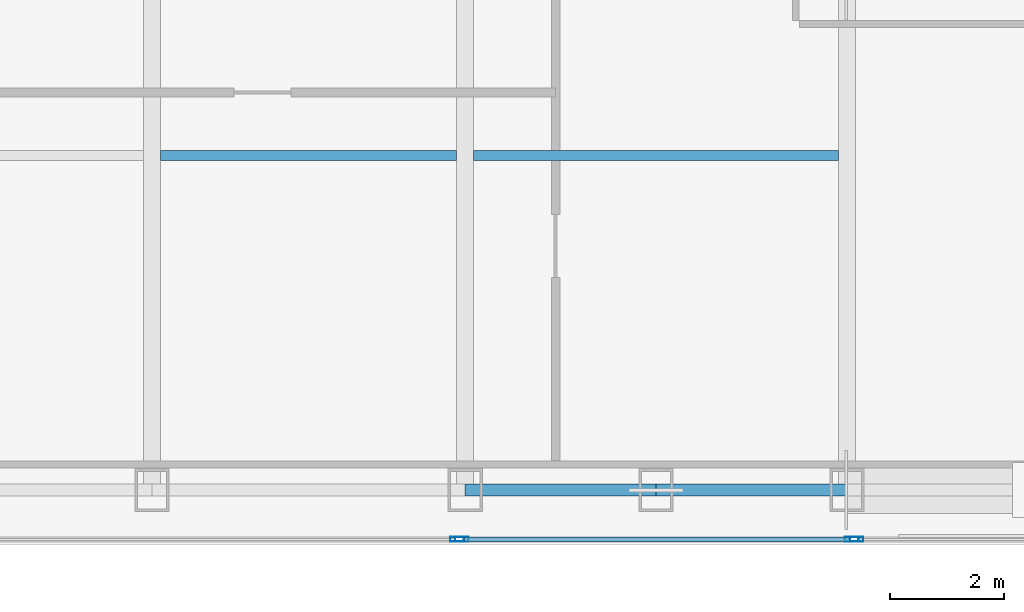
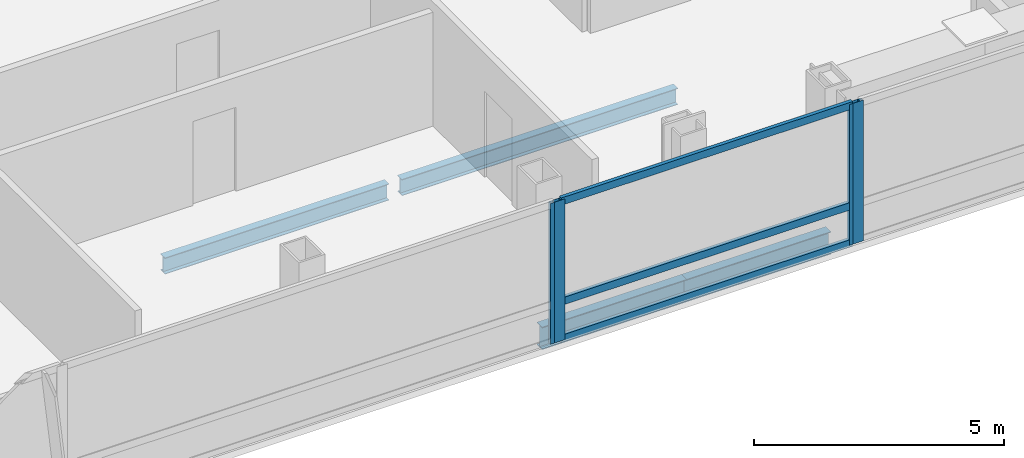
# One storey, part 11 of 26: 7 members, 4 beams, 3 elements without a shape of their own.
"""IFC4 building model written with IfcOpenShell, lengths in metres."""

from ifc_helpers import new_model, si_unit, direction, frame, origin, origin_2d, place, context, subcontext, project, spatial, hollow_rectangle, i_section, extrude, material, material_profile, profile_set, type_object, element, aggregate, save


model = new_model("IFC4")

# Units and contexts
model_context = context("Model", 3, precision=1e-05, world=origin(), true_north=direction((0.0, 1.0)))
body_context = subcontext(model_context, "Body", "Model", "MODEL_VIEW")
ifc_project = project(units=[si_unit("LENGTHUNIT", "METRE"), si_unit("AREAUNIT", "SQUARE_METRE"), si_unit("VOLUMEUNIT", "CUBIC_METRE"), si_unit("PLANEANGLEUNIT", "RADIAN"), si_unit("MASSUNIT", "GRAM", prefix="KILO")], contexts=[model_context])

# Site, building, storey
site_placement = place(None, origin())
site = spatial("IfcSite", under=ifc_project, at=site_placement, CompositionType="ELEMENT")
building_placement = place(site_placement, origin())
building = spatial("IfcBuilding", under=site, at=building_placement, Name="Khoronbel Lancet Exchange", CompositionType="ELEMENT")
storey_placement = place(building_placement, frame((0.0, 0.0, 287.800048828125)))
storey = spatial("IfcBuildingStorey", under=building, at=storey_placement, Name="L74", CompositionType="ELEMENT", Elevation=287.800048828125)

# Beams
ifc_material_1 = material(Name="Steel S355", Category="steel")
ifc_material_profile_1 = material_profile(ifc_material_1, i_section(OverallWidth=0.179931640625, OverallDepth=0.39990234375, WebThickness=0.008544921875, FlangeThickness=0.013427734375, at=origin_2d()), Name="IPE 400")
ifc_profile_set_1 = profile_set([ifc_material_profile_1], Name="Steel S355")
beam_type_1 = type_object("IfcBeamType", Name="BM-BJ5", PredefinedType="JOIST", material=ifc_profile_set_1)
beam_1_placement = place(storey_placement, frame((42.675048828125, 16.0, -0.360107421875), z_axis=(1.0, 0.0, 0.0), x_axis=(0.0, 1.0, 0.0)))
element("IfcBeam", 1, at=beam_1_placement, inside=storey, type_object=beam_type_1, Name="Level L74 secondary composite joist J04", PredefinedType="JOIST", context=body_context, shape_type="SweptSolid", body=[
    extrude(i_section(OverallWidth=0.179931640625, OverallDepth=0.39990234375, WebThickness=0.008544921875, FlangeThickness=0.013427734375, at=origin_2d()), origin(), (0.0, 0.0, 1.0), 5.175048828125),
])
beam_2_placement = place(storey_placement, frame((48.14990234375, 16.0, -0.360107421875), z_axis=(1.0, 0.0, 0.0), x_axis=(0.0, 1.0, 0.0)))
element("IfcBeam", 2, at=beam_2_placement, inside=storey, type_object=beam_type_1, Name="Level L74 secondary composite joist J05", PredefinedType="JOIST", context=body_context, shape_type="SweptSolid", body=[
    extrude(i_section(OverallWidth=0.179931640625, OverallDepth=0.39990234375, WebThickness=0.008544921875, FlangeThickness=0.013427734375, at=origin_2d()), origin(), (0.0, 0.0, 1.0), 6.375),
])
ifc_material_profile_2 = material_profile(ifc_material_1, i_section(OverallWidth=0.2099609375, OverallDepth=0.550048828125, WebThickness=0.010986328125, FlangeThickness=0.01708984375, at=origin_2d()), Name="IPE 550")
ifc_profile_set_2 = profile_set([ifc_material_profile_2], Name="Steel S355")
beam_type_2 = type_object("IfcBeamType", Name="BM-BSP3", PredefinedType="SPANDREL", material=ifc_profile_set_2)
beam_3_placement = place(storey_placement, frame((48.0, 10.14990234375, -0.43505859375), z_axis=(1.0, 0.0, 0.0), x_axis=(0.0, 1.0, 0.0)))
element("IfcBeam", 3, at=beam_3_placement, inside=storey, type_object=beam_type_2, Name="Level L74 perimeter spandrel beam SP07", PredefinedType="SPANDREL", context=body_context, shape_type="SweptSolid", body=[
    extrude(i_section(OverallWidth=0.2099609375, OverallDepth=0.550048828125, WebThickness=0.010986328125, FlangeThickness=0.01708984375, at=origin_2d()), origin(), (0.0, 0.0, 1.0), 3.33740234375),
])
beam_4_placement = place(storey_placement, frame((51.33740234375, 10.14990234375, -0.43505859375), z_axis=(1.0, 0.0, 0.0), x_axis=(0.0, 1.0, 0.0)))
element("IfcBeam", 4, at=beam_4_placement, inside=storey, type_object=beam_type_2, Name="Level L74 perimeter spandrel beam SP08", PredefinedType="SPANDREL", context=body_context, shape_type="SweptSolid", body=[
    extrude(i_section(OverallWidth=0.2099609375, OverallDepth=0.550048828125, WebThickness=0.010986328125, FlangeThickness=0.01708984375, at=origin_2d()), origin(), (0.0, 0.0, 1.0), 3.337646484375),
])

# Curtain wall, member
ifc_material_2 = material(Name="Low-E Solar Control Insulating Glass", Category="glass")
curtain_wall_type = type_object("IfcCurtainWallType", Name="CW-3", PredefinedType="NOTDEFINED", material=ifc_material_2)
curtain_wall_1_placement = place(storey_placement, origin())
curtain_wall_1 = element("IfcCurtainWall", 5, at=curtain_wall_1_placement, inside=storey, type_object=curtain_wall_type, Name="Unitised curtain wall CW-L74-SCV", PredefinedType="NOTDEFINED")
ifc_material_3 = material(Name="Bronze-Anodised Aluminium 6063-T6", Category="aluminium")
ifc_material_profile_3 = material_profile(ifc_material_3, hollow_rectangle(XDim=0.0849609375, YDim=0.239990234375, WallThickness=0.006103515625, at=origin_2d()), Name="ALU MULLION 85x240")
ifc_profile_set_3 = profile_set([ifc_material_profile_3], Name="Bronze-Anodised Aluminium 6063-T6")
member_type_1 = type_object("IfcMemberType", Name="MEM-CWM1", PredefinedType="MULLION", material=ifc_profile_set_3)
member_1_placement = place(storey_placement, frame((47.857421875, 9.2900390625, 0.0), z_axis=(0.0, 0.0, 1.0), x_axis=(0.0, 1.0, 0.0)))
member_1 = element("IfcMember", 6, at=member_1_placement, type_object=member_type_1, Name="CW3 mullion 3", PredefinedType="MULLION", context=body_context, shape_type="SweptSolid", body=[
    extrude(hollow_rectangle(XDim=0.0849609375, YDim=0.239990234375, WallThickness=0.006103515625, at=origin_2d()), origin(), (0.0, 0.0, 1.0), 3.43994140625),
])
aggregate(curtain_wall_1, [member_1])

# Curtain wall, members
curtain_wall_2_placement = place(storey_placement, origin())
curtain_wall_2 = element("IfcCurtainWall", 7, at=curtain_wall_2_placement, inside=storey, type_object=curtain_wall_type, Name="Unitised curtain wall CW-L74-SEB", PredefinedType="NOTDEFINED")
member_2_placement = place(storey_placement, frame((47.9423828125, 9.2900390625, 0.0), z_axis=(0.0, 0.0, 1.0), x_axis=(0.0, 1.0, 0.0)))
member_2 = element("IfcMember", 8, at=member_2_placement, type_object=member_type_1, Name="CW3 mullion 1", PredefinedType="MULLION", context=body_context, shape_type="SweptSolid", body=[
    extrude(hollow_rectangle(XDim=0.0849609375, YDim=0.239990234375, WallThickness=0.006103515625, at=origin_2d()), origin(), (0.0, 0.0, 1.0), 3.43994140625),
])
member_3_placement = place(storey_placement, frame((54.757568359375, 9.2900390625, 0.0), z_axis=(0.0, 0.0, 1.0), x_axis=(0.0, 1.0, 0.0)))
member_3 = element("IfcMember", 9, at=member_3_placement, type_object=member_type_1, Name="CW3 mullion 2", PredefinedType="MULLION", context=body_context, shape_type="SweptSolid", body=[
    extrude(hollow_rectangle(XDim=0.0849609375, YDim=0.239990234375, WallThickness=0.006103515625, at=origin_2d()), origin(), (0.0, 0.0, 1.0), 3.43994140625),
])

# Curtain wall, member
curtain_wall_3_placement = place(storey_placement, origin())
curtain_wall_3 = element("IfcCurtainWall", 10, at=curtain_wall_3_placement, inside=storey, type_object=curtain_wall_type, Name="Unitised curtain wall CW-L74-SEV", PredefinedType="NOTDEFINED")
member_4_placement = place(storey_placement, frame((54.842529296875, 9.2900390625, 0.0), z_axis=(0.0, 0.0, 1.0), x_axis=(0.0, 1.0, 0.0)))
member_4 = element("IfcMember", 11, at=member_4_placement, type_object=member_type_1, Name="CW3 mullion 1", PredefinedType="MULLION", context=body_context, shape_type="SweptSolid", body=[
    extrude(hollow_rectangle(XDim=0.0849609375, YDim=0.239990234375, WallThickness=0.006103515625, at=origin_2d()), origin(), (0.0, 0.0, 1.0), 3.43994140625),
])
aggregate(curtain_wall_3, [member_4])

# Member
ifc_material_profile_4 = material_profile(ifc_material_3, hollow_rectangle(XDim=0.0849609375, YDim=0.179931640625, WallThickness=0.0048828125, at=origin_2d()), Name="ALU TRANSOM 85x180")
ifc_profile_set_4 = profile_set([ifc_material_profile_4], Name="Bronze-Anodised Aluminium 6063-T6")
member_type_2 = type_object("IfcMemberType", Name="MEM-CWT1", PredefinedType="USERDEFINED", material=ifc_profile_set_4)
member_5_placement = place(storey_placement, frame((47.985107421875, 9.2900390625, 0.04248046875), z_axis=(1.0, 0.0, 0.0), x_axis=(0.0, 1.0, 0.0)))
member_5 = element("IfcMember", 12, at=member_5_placement, type_object=member_type_2, Name="CW3 transom 1.1", ObjectType="TRANSOM", PredefinedType="USERDEFINED", context=body_context, shape_type="SweptSolid", body=[
    extrude(hollow_rectangle(XDim=0.0849609375, YDim=0.179931640625, WallThickness=0.0048828125, at=origin_2d()), origin(), (0.0, 0.0, 1.0), 6.72998046875),
])

member_6_placement = place(storey_placement, frame((47.985107421875, 9.2900390625, 0.949951171875), z_axis=(1.0, 0.0, 0.0), x_axis=(0.0, 1.0, 0.0)))
member_6 = element("IfcMember", 13, at=member_6_placement, type_object=member_type_2, Name="CW3 transom 1.2", ObjectType="TRANSOM", PredefinedType="USERDEFINED", context=body_context, shape_type="SweptSolid", body=[
    extrude(hollow_rectangle(XDim=0.0849609375, YDim=0.179931640625, WallThickness=0.0048828125, at=origin_2d()), origin(), (0.0, 0.0, 1.0), 6.72998046875),
])

member_7_placement = place(storey_placement, frame((47.985107421875, 9.2900390625, 3.3974609375), z_axis=(1.0, 0.0, 0.0), x_axis=(0.0, 1.0, 0.0)))
member_7 = element("IfcMember", 14, at=member_7_placement, type_object=member_type_2, Name="CW3 transom 1.3", ObjectType="TRANSOM", PredefinedType="USERDEFINED", context=body_context, shape_type="SweptSolid", body=[
    extrude(hollow_rectangle(XDim=0.0849609375, YDim=0.179931640625, WallThickness=0.0048828125, at=origin_2d()), origin(), (0.0, 0.0, 1.0), 6.72998046875),
])

aggregate(curtain_wall_2, [member_2, member_3, member_5, member_6, member_7])

save(model, "model.ifc")
